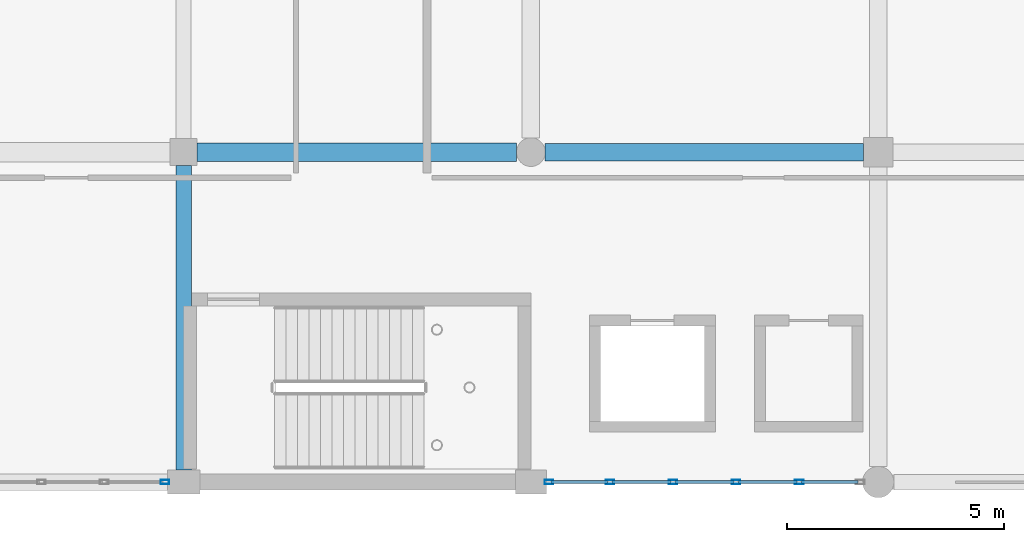
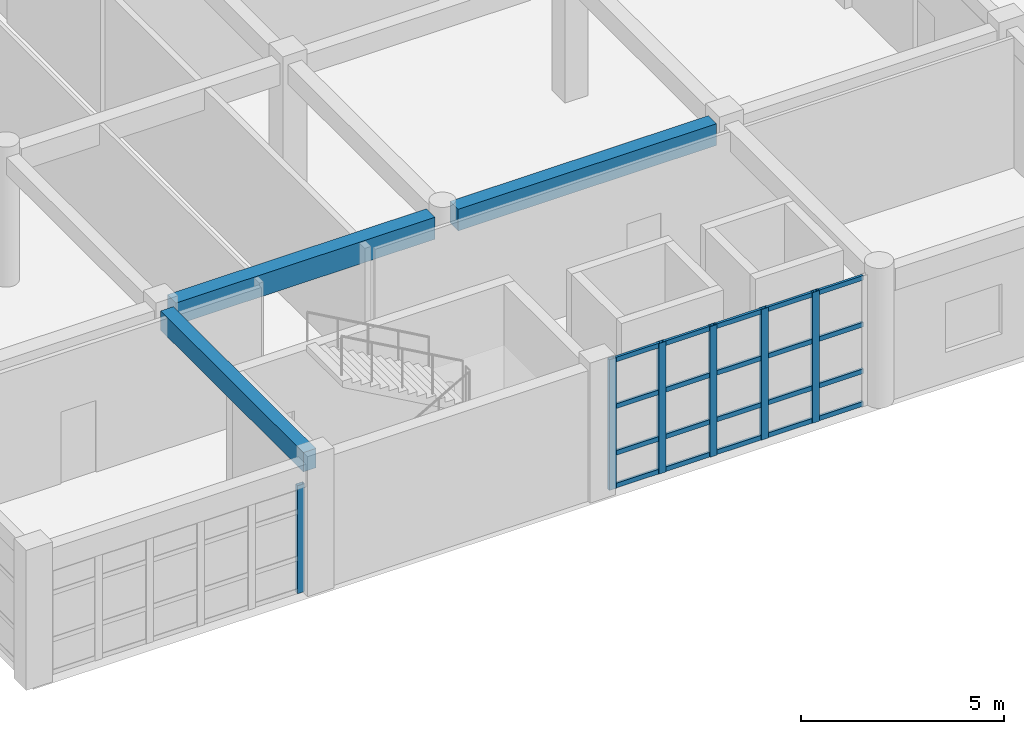
# One storey, part 118 of 195: 26 members, 3 beams, 2 elements without a shape of their own.
"""IFC4 building model written with IfcOpenShell, lengths in metres."""

from ifc_helpers import new_model, si_unit, direction, frame, origin, origin_2d, place, context, subcontext, project, spatial, rectangle, hollow_rectangle, extrude, material, material_profile, profile_set, type_object, element, aggregate, save


model = new_model("IFC4")

# Units and contexts
model_context = context("Model", 3, precision=1e-05, world=origin(), true_north=direction((0.0, 1.0)))
body_context = subcontext(model_context, "Body", "Model", "MODEL_VIEW")
ifc_project = project(units=[si_unit("LENGTHUNIT", "METRE"), si_unit("AREAUNIT", "SQUARE_METRE"), si_unit("VOLUMEUNIT", "CUBIC_METRE"), si_unit("PLANEANGLEUNIT", "RADIAN"), si_unit("MASSUNIT", "GRAM", prefix="KILO")], contexts=[model_context])

# Site, building, storey
site_placement = place(None, origin())
site = spatial("IfcSite", under=ifc_project, at=site_placement, CompositionType="ELEMENT")
building_placement = place(site_placement, origin())
building = spatial("IfcBuilding", under=site, at=building_placement, Name="Kharva Crest Polytechnic", CompositionType="ELEMENT")
storey_placement = place(building_placement, frame((0.0, 0.0, 9.0)))
storey = spatial("IfcBuildingStorey", under=building, at=storey_placement, Name="L02", CompositionType="ELEMENT", Elevation=9.0)

# Beams
ifc_material_1 = material(Name="Concrete C35/45", Category="concrete")
ifc_material_profile_1 = material_profile(ifc_material_1, rectangle(XDim=0.360107421875, YDim=0.580078125, at=origin_2d()), Name="RECT 360 X 580")
ifc_profile_set_1 = profile_set([ifc_material_profile_1], Name="Concrete C35/45")
beam_type_1 = type_object("IfcBeamType", Name="BM-RC-360X580", PredefinedType="BEAM", material=ifc_profile_set_1)
beam_1_placement = place(storey_placement, frame((128.800048828125, 0.27490234375, 3.6298828125), z_axis=(0.0, 1.0, 0.0), x_axis=(-1.0, 0.0, 0.0)))
element("IfcBeam", 1, at=beam_1_placement, inside=storey, type_object=beam_type_1, Name="L02 Girder 17/A-B", PredefinedType="BEAM", context=body_context, shape_type="SweptSolid", body=[
    extrude(rectangle(XDim=0.360107421875, YDim=0.580078125, at=origin_2d()), origin(), (0.0, 0.0, 1.0), 7.01513671875),
])
ifc_material_profile_2 = material_profile(ifc_material_1, rectangle(XDim=0.39990234375, YDim=0.64990234375, at=origin_2d()), Name="RECT 400 X 650")
ifc_profile_set_2 = profile_set([ifc_material_profile_2], Name="Concrete C35/45")
beam_type_2 = type_object("IfcBeamType", Name="BM-RC-400X650", PredefinedType="BEAM", material=ifc_profile_set_2)
beam_2_placement = place(storey_placement, frame((137.1298828125, 7.60009765625, 3.594970703125), z_axis=(1.0, 0.0, 0.0), x_axis=(0.0, 1.0, 0.0)))
element("IfcBeam", 2, at=beam_2_placement, inside=storey, type_object=beam_type_2, Name="L02 Beam B/18-19", PredefinedType="BEAM", context=body_context, shape_type="SweptSolid", body=[
    extrude(rectangle(XDim=0.39990234375, YDim=0.64990234375, at=origin_2d()), origin(), (0.0, 0.0, 1.0), 7.330078125),
])
ifc_material_profile_3 = material_profile(ifc_material_1, rectangle(XDim=0.419921875, YDim=0.659912109375, at=origin_2d()), Name="RECT 420 X 660")
ifc_profile_set_3 = profile_set([ifc_material_profile_3], Name="Concrete C35/45")
beam_type_3 = type_object("IfcBeamType", Name="BM-RC-420X660", PredefinedType="BEAM", material=ifc_profile_set_3)
beam_3_placement = place(storey_placement, frame((129.110107421875, 7.60009765625, 3.590087890625), z_axis=(1.0, 0.0, 0.0), x_axis=(0.0, 1.0, 0.0)))
element("IfcBeam", 3, at=beam_3_placement, inside=storey, type_object=beam_type_3, Name="L02 Beam B/17-18", PredefinedType="BEAM", context=body_context, shape_type="SweptSolid", body=[
    extrude(rectangle(XDim=0.419921875, YDim=0.659912109375, at=origin_2d()), origin(), (0.0, 0.0, 1.0), 7.35986328125),
])

# Curtain wall, member
ifc_material_2 = material(Name="Tempered insulated glass", Category="glass")
curtain_wall_type = type_object("IfcCurtainWallType", Name="CW-SYS-REFECTORY", PredefinedType="USERDEFINED", material=ifc_material_2)
curtain_wall_1_placement = place(storey_placement, origin())
curtain_wall_1 = element("IfcCurtainWall", 4, at=curtain_wall_1_placement, inside=storey, type_object=curtain_wall_type, Name="L02 Glazed Curtain Wall CW-094", ObjectType="CURTAIN WALL", PredefinedType="USERDEFINED")
ifc_material_3 = material(Name="Steel S355", Category="steel")
ifc_material_profile_4 = material_profile(ifc_material_3, hollow_rectangle(XDim=0.10009765625, YDim=0.199951171875, WallThickness=0.00634765625, at=origin_2d()), Name="RHS 200X100X6.3")
ifc_profile_set_4 = profile_set([ifc_material_profile_4], Name="Steel S355")
member_type_1 = type_object("IfcMemberType", Name="CWM-RHS200X100", PredefinedType="MULLION", material=ifc_profile_set_4)
member_1_placement = place(storey_placement, frame((128.3701171875, 0.0, 0.0), z_axis=(0.0, 0.0, 1.0), x_axis=(0.0, 1.0, 0.0)))
member_1 = element("IfcMember", 5, at=member_1_placement, type_object=member_type_1, Name="CW-094 mullion 6", PredefinedType="MULLION", context=body_context, shape_type="SweptSolid", body=[
    extrude(hollow_rectangle(XDim=0.10009765625, YDim=0.199951171875, WallThickness=0.00634765625, at=origin_2d()), origin(), (0.0, 0.0, 1.0), 3.239990234375),
])
aggregate(curtain_wall_1, [member_1])

# Curtain wall, members
curtain_wall_2_placement = place(storey_placement, origin())
curtain_wall_2 = element("IfcCurtainWall", 6, at=curtain_wall_2_placement, inside=storey, type_object=curtain_wall_type, Name="L02 Glazed Curtain Wall CW-095", ObjectType="CURTAIN WALL", PredefinedType="USERDEFINED")
member_2_placement = place(storey_placement, frame((137.215087890625, 0.0, 0.0), z_axis=(0.0, 0.0, 1.0), x_axis=(0.0, 1.0, 0.0)))
member_2 = element("IfcMember", 7, at=member_2_placement, type_object=member_type_1, Name="CW-095 mullion 1", PredefinedType="MULLION", context=body_context, shape_type="SweptSolid", body=[
    extrude(hollow_rectangle(XDim=0.10009765625, YDim=0.199951171875, WallThickness=0.00634765625, at=origin_2d()), origin(), (0.0, 0.0, 1.0), 3.919921875),
])
member_3_placement = place(storey_placement, frame((138.618896484375, 0.0, 0.0), z_axis=(0.0, 0.0, 1.0), x_axis=(0.0, 1.0, 0.0)))
member_3 = element("IfcMember", 8, at=member_3_placement, type_object=member_type_1, Name="CW-095 mullion 2", PredefinedType="MULLION", context=body_context, shape_type="SweptSolid", body=[
    extrude(hollow_rectangle(XDim=0.10009765625, YDim=0.199951171875, WallThickness=0.00634765625, at=origin_2d()), origin(), (0.0, 0.0, 1.0), 3.919921875),
])
member_4_placement = place(storey_placement, frame((140.072998046875, 0.0, 0.0), z_axis=(0.0, 0.0, 1.0), x_axis=(0.0, 1.0, 0.0)))
member_4 = element("IfcMember", 9, at=member_4_placement, type_object=member_type_1, Name="CW-095 mullion 3", PredefinedType="MULLION", context=body_context, shape_type="SweptSolid", body=[
    extrude(hollow_rectangle(XDim=0.10009765625, YDim=0.199951171875, WallThickness=0.00634765625, at=origin_2d()), origin(), (0.0, 0.0, 1.0), 3.919921875),
])
member_5_placement = place(storey_placement, frame((141.527099609375, 0.0, 0.0), z_axis=(0.0, 0.0, 1.0), x_axis=(0.0, 1.0, 0.0)))
member_5 = element("IfcMember", 10, at=member_5_placement, type_object=member_type_1, Name="CW-095 mullion 4", PredefinedType="MULLION", context=body_context, shape_type="SweptSolid", body=[
    extrude(hollow_rectangle(XDim=0.10009765625, YDim=0.199951171875, WallThickness=0.00634765625, at=origin_2d()), origin(), (0.0, 0.0, 1.0), 3.919921875),
])
member_6_placement = place(storey_placement, frame((142.98095703125, 0.0, 0.0), z_axis=(0.0, 0.0, 1.0), x_axis=(0.0, 1.0, 0.0)))
member_6 = element("IfcMember", 11, at=member_6_placement, type_object=member_type_1, Name="CW-095 mullion 5", PredefinedType="MULLION", context=body_context, shape_type="SweptSolid", body=[
    extrude(hollow_rectangle(XDim=0.10009765625, YDim=0.199951171875, WallThickness=0.00634765625, at=origin_2d()), origin(), (0.0, 0.0, 1.0), 3.919921875),
])
ifc_material_profile_5 = material_profile(ifc_material_3, hollow_rectangle(XDim=0.070068359375, YDim=0.139892578125, WallThickness=0.00390625, at=origin_2d()), Name="RHS 140X70X4.0")
ifc_profile_set_5 = profile_set([ifc_material_profile_5], Name="Steel S355")
member_type_2 = type_object("IfcMemberType", Name="CWT-RHS140X70", PredefinedType="USERDEFINED", material=ifc_profile_set_5)
member_7_placement = place(storey_placement, frame((137.264892578125, 0.0, 0.070068359375), z_axis=(1.0, 0.0, 0.0), x_axis=(0.0, 1.0, 0.0)))
member_7 = element("IfcMember", 12, at=member_7_placement, type_object=member_type_2, Name="CW-095 transom 1.1", ObjectType="TRANSOM", PredefinedType="USERDEFINED", context=body_context, shape_type="SweptSolid", body=[
    extrude(hollow_rectangle(XDim=0.070068359375, YDim=0.139892578125, WallThickness=0.00390625, at=origin_2d()), origin(), (0.0, 0.0, 1.0), 1.30419921875),
])
member_8_placement = place(storey_placement, frame((137.264892578125, 0.0, 1.050048828125), z_axis=(1.0, 0.0, 0.0), x_axis=(0.0, 1.0, 0.0)))
member_8 = element("IfcMember", 13, at=member_8_placement, type_object=member_type_2, Name="CW-095 transom 1.2", ObjectType="TRANSOM", PredefinedType="USERDEFINED", context=body_context, shape_type="SweptSolid", body=[
    extrude(hollow_rectangle(XDim=0.070068359375, YDim=0.139892578125, WallThickness=0.00390625, at=origin_2d()), origin(), (0.0, 0.0, 1.0), 1.30419921875),
])
member_9_placement = place(storey_placement, frame((137.264892578125, 0.0, 2.449951171875), z_axis=(1.0, 0.0, 0.0), x_axis=(0.0, 1.0, 0.0)))
member_9 = element("IfcMember", 14, at=member_9_placement, type_object=member_type_2, Name="CW-095 transom 1.3", ObjectType="TRANSOM", PredefinedType="USERDEFINED", context=body_context, shape_type="SweptSolid", body=[
    extrude(hollow_rectangle(XDim=0.070068359375, YDim=0.139892578125, WallThickness=0.00390625, at=origin_2d()), origin(), (0.0, 0.0, 1.0), 1.30419921875),
])
member_10_placement = place(storey_placement, frame((137.264892578125, 0.0, 3.85009765625), z_axis=(1.0, 0.0, 0.0), x_axis=(0.0, 1.0, 0.0)))
member_10 = element("IfcMember", 15, at=member_10_placement, type_object=member_type_2, Name="CW-095 transom 1.4", ObjectType="TRANSOM", PredefinedType="USERDEFINED", context=body_context, shape_type="SweptSolid", body=[
    extrude(hollow_rectangle(XDim=0.070068359375, YDim=0.139892578125, WallThickness=0.00390625, at=origin_2d()), origin(), (0.0, 0.0, 1.0), 1.30419921875),
])
member_11_placement = place(storey_placement, frame((138.6689453125, 0.0, 0.070068359375), z_axis=(1.0, 0.0, 0.0), x_axis=(0.0, 1.0, 0.0)))
member_11 = element("IfcMember", 16, at=member_11_placement, type_object=member_type_2, Name="CW-095 transom 2.1", ObjectType="TRANSOM", PredefinedType="USERDEFINED", context=body_context, shape_type="SweptSolid", body=[
    extrude(hollow_rectangle(XDim=0.070068359375, YDim=0.139892578125, WallThickness=0.00390625, at=origin_2d()), origin(), (0.0, 0.0, 1.0), 1.35400390625),
])
member_12_placement = place(storey_placement, frame((138.6689453125, 0.0, 1.050048828125), z_axis=(1.0, 0.0, 0.0), x_axis=(0.0, 1.0, 0.0)))
member_12 = element("IfcMember", 17, at=member_12_placement, type_object=member_type_2, Name="CW-095 transom 2.2", ObjectType="TRANSOM", PredefinedType="USERDEFINED", context=body_context, shape_type="SweptSolid", body=[
    extrude(hollow_rectangle(XDim=0.070068359375, YDim=0.139892578125, WallThickness=0.00390625, at=origin_2d()), origin(), (0.0, 0.0, 1.0), 1.35400390625),
])
member_13_placement = place(storey_placement, frame((138.6689453125, 0.0, 2.449951171875), z_axis=(1.0, 0.0, 0.0), x_axis=(0.0, 1.0, 0.0)))
member_13 = element("IfcMember", 18, at=member_13_placement, type_object=member_type_2, Name="CW-095 transom 2.3", ObjectType="TRANSOM", PredefinedType="USERDEFINED", context=body_context, shape_type="SweptSolid", body=[
    extrude(hollow_rectangle(XDim=0.070068359375, YDim=0.139892578125, WallThickness=0.00390625, at=origin_2d()), origin(), (0.0, 0.0, 1.0), 1.35400390625),
])
member_14_placement = place(storey_placement, frame((138.6689453125, 0.0, 3.85009765625), z_axis=(1.0, 0.0, 0.0), x_axis=(0.0, 1.0, 0.0)))
member_14 = element("IfcMember", 19, at=member_14_placement, type_object=member_type_2, Name="CW-095 transom 2.4", ObjectType="TRANSOM", PredefinedType="USERDEFINED", context=body_context, shape_type="SweptSolid", body=[
    extrude(hollow_rectangle(XDim=0.070068359375, YDim=0.139892578125, WallThickness=0.00390625, at=origin_2d()), origin(), (0.0, 0.0, 1.0), 1.35400390625),
])
member_15_placement = place(storey_placement, frame((140.123046875, 0.0, 0.070068359375), z_axis=(1.0, 0.0, 0.0), x_axis=(0.0, 1.0, 0.0)))
member_15 = element("IfcMember", 20, at=member_15_placement, type_object=member_type_2, Name="CW-095 transom 3.1", ObjectType="TRANSOM", PredefinedType="USERDEFINED", context=body_context, shape_type="SweptSolid", body=[
    extrude(hollow_rectangle(XDim=0.070068359375, YDim=0.139892578125, WallThickness=0.00390625, at=origin_2d()), origin(), (0.0, 0.0, 1.0), 1.35400390625),
])
member_16_placement = place(storey_placement, frame((140.123046875, 0.0, 1.050048828125), z_axis=(1.0, 0.0, 0.0), x_axis=(0.0, 1.0, 0.0)))
member_16 = element("IfcMember", 21, at=member_16_placement, type_object=member_type_2, Name="CW-095 transom 3.2", ObjectType="TRANSOM", PredefinedType="USERDEFINED", context=body_context, shape_type="SweptSolid", body=[
    extrude(hollow_rectangle(XDim=0.070068359375, YDim=0.139892578125, WallThickness=0.00390625, at=origin_2d()), origin(), (0.0, 0.0, 1.0), 1.35400390625),
])
member_17_placement = place(storey_placement, frame((140.123046875, 0.0, 2.449951171875), z_axis=(1.0, 0.0, 0.0), x_axis=(0.0, 1.0, 0.0)))
member_17 = element("IfcMember", 22, at=member_17_placement, type_object=member_type_2, Name="CW-095 transom 3.3", ObjectType="TRANSOM", PredefinedType="USERDEFINED", context=body_context, shape_type="SweptSolid", body=[
    extrude(hollow_rectangle(XDim=0.070068359375, YDim=0.139892578125, WallThickness=0.00390625, at=origin_2d()), origin(), (0.0, 0.0, 1.0), 1.35400390625),
])
member_18_placement = place(storey_placement, frame((140.123046875, 0.0, 3.85009765625), z_axis=(1.0, 0.0, 0.0), x_axis=(0.0, 1.0, 0.0)))
member_18 = element("IfcMember", 23, at=member_18_placement, type_object=member_type_2, Name="CW-095 transom 3.4", ObjectType="TRANSOM", PredefinedType="USERDEFINED", context=body_context, shape_type="SweptSolid", body=[
    extrude(hollow_rectangle(XDim=0.070068359375, YDim=0.139892578125, WallThickness=0.00390625, at=origin_2d()), origin(), (0.0, 0.0, 1.0), 1.35400390625),
])
member_19_placement = place(storey_placement, frame((141.576904296875, 0.0, 0.070068359375), z_axis=(1.0, 0.0, 0.0), x_axis=(0.0, 1.0, 0.0)))
member_19 = element("IfcMember", 24, at=member_19_placement, type_object=member_type_2, Name="CW-095 transom 4.1", ObjectType="TRANSOM", PredefinedType="USERDEFINED", context=body_context, shape_type="SweptSolid", body=[
    extrude(hollow_rectangle(XDim=0.070068359375, YDim=0.139892578125, WallThickness=0.00390625, at=origin_2d()), origin(), (0.0, 0.0, 1.0), 1.35400390625),
])
member_20_placement = place(storey_placement, frame((141.576904296875, 0.0, 1.050048828125), z_axis=(1.0, 0.0, 0.0), x_axis=(0.0, 1.0, 0.0)))
member_20 = element("IfcMember", 25, at=member_20_placement, type_object=member_type_2, Name="CW-095 transom 4.2", ObjectType="TRANSOM", PredefinedType="USERDEFINED", context=body_context, shape_type="SweptSolid", body=[
    extrude(hollow_rectangle(XDim=0.070068359375, YDim=0.139892578125, WallThickness=0.00390625, at=origin_2d()), origin(), (0.0, 0.0, 1.0), 1.35400390625),
])
member_21_placement = place(storey_placement, frame((141.576904296875, 0.0, 2.449951171875), z_axis=(1.0, 0.0, 0.0), x_axis=(0.0, 1.0, 0.0)))
member_21 = element("IfcMember", 26, at=member_21_placement, type_object=member_type_2, Name="CW-095 transom 4.3", ObjectType="TRANSOM", PredefinedType="USERDEFINED", context=body_context, shape_type="SweptSolid", body=[
    extrude(hollow_rectangle(XDim=0.070068359375, YDim=0.139892578125, WallThickness=0.00390625, at=origin_2d()), origin(), (0.0, 0.0, 1.0), 1.35400390625),
])
member_22_placement = place(storey_placement, frame((141.576904296875, 0.0, 3.85009765625), z_axis=(1.0, 0.0, 0.0), x_axis=(0.0, 1.0, 0.0)))
member_22 = element("IfcMember", 27, at=member_22_placement, type_object=member_type_2, Name="CW-095 transom 4.4", ObjectType="TRANSOM", PredefinedType="USERDEFINED", context=body_context, shape_type="SweptSolid", body=[
    extrude(hollow_rectangle(XDim=0.070068359375, YDim=0.139892578125, WallThickness=0.00390625, at=origin_2d()), origin(), (0.0, 0.0, 1.0), 1.35400390625),
])
member_23_placement = place(storey_placement, frame((143.031005859375, 0.0, 0.070068359375), z_axis=(1.0, 0.0, 0.0), x_axis=(0.0, 1.0, 0.0)))
member_23 = element("IfcMember", 28, at=member_23_placement, type_object=member_type_2, Name="CW-095 transom 5.1", ObjectType="TRANSOM", PredefinedType="USERDEFINED", context=body_context, shape_type="SweptSolid", body=[
    extrude(hollow_rectangle(XDim=0.070068359375, YDim=0.139892578125, WallThickness=0.00390625, at=origin_2d()), origin(), (0.0, 0.0, 1.0), 1.303955078125),
])
member_24_placement = place(storey_placement, frame((143.031005859375, 0.0, 1.050048828125), z_axis=(1.0, 0.0, 0.0), x_axis=(0.0, 1.0, 0.0)))
member_24 = element("IfcMember", 29, at=member_24_placement, type_object=member_type_2, Name="CW-095 transom 5.2", ObjectType="TRANSOM", PredefinedType="USERDEFINED", context=body_context, shape_type="SweptSolid", body=[
    extrude(hollow_rectangle(XDim=0.070068359375, YDim=0.139892578125, WallThickness=0.00390625, at=origin_2d()), origin(), (0.0, 0.0, 1.0), 1.303955078125),
])
member_25_placement = place(storey_placement, frame((143.031005859375, 0.0, 2.449951171875), z_axis=(1.0, 0.0, 0.0), x_axis=(0.0, 1.0, 0.0)))
member_25 = element("IfcMember", 30, at=member_25_placement, type_object=member_type_2, Name="CW-095 transom 5.3", ObjectType="TRANSOM", PredefinedType="USERDEFINED", context=body_context, shape_type="SweptSolid", body=[
    extrude(hollow_rectangle(XDim=0.070068359375, YDim=0.139892578125, WallThickness=0.00390625, at=origin_2d()), origin(), (0.0, 0.0, 1.0), 1.303955078125),
])
member_26_placement = place(storey_placement, frame((143.031005859375, 0.0, 3.85009765625), z_axis=(1.0, 0.0, 0.0), x_axis=(0.0, 1.0, 0.0)))
member_26 = element("IfcMember", 31, at=member_26_placement, type_object=member_type_2, Name="CW-095 transom 5.4", ObjectType="TRANSOM", PredefinedType="USERDEFINED", context=body_context, shape_type="SweptSolid", body=[
    extrude(hollow_rectangle(XDim=0.070068359375, YDim=0.139892578125, WallThickness=0.00390625, at=origin_2d()), origin(), (0.0, 0.0, 1.0), 1.303955078125),
])
aggregate(curtain_wall_2, [member_2, member_3, member_4, member_5, member_6, member_7, member_8, member_9, member_10, member_11, member_12, member_13, member_14, member_15, member_16, member_17, member_18, member_19, member_20, member_21, member_22, member_23, member_24, member_25, member_26])

save(model, "model.ifc")
